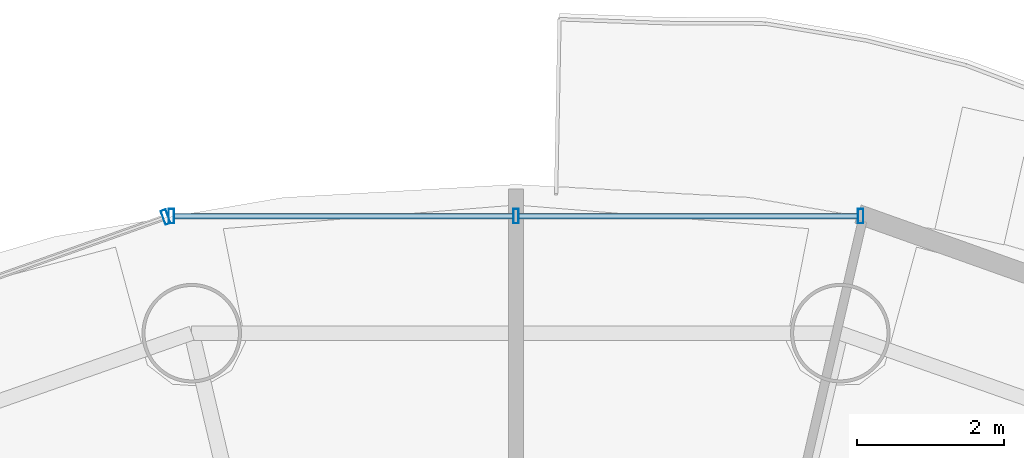
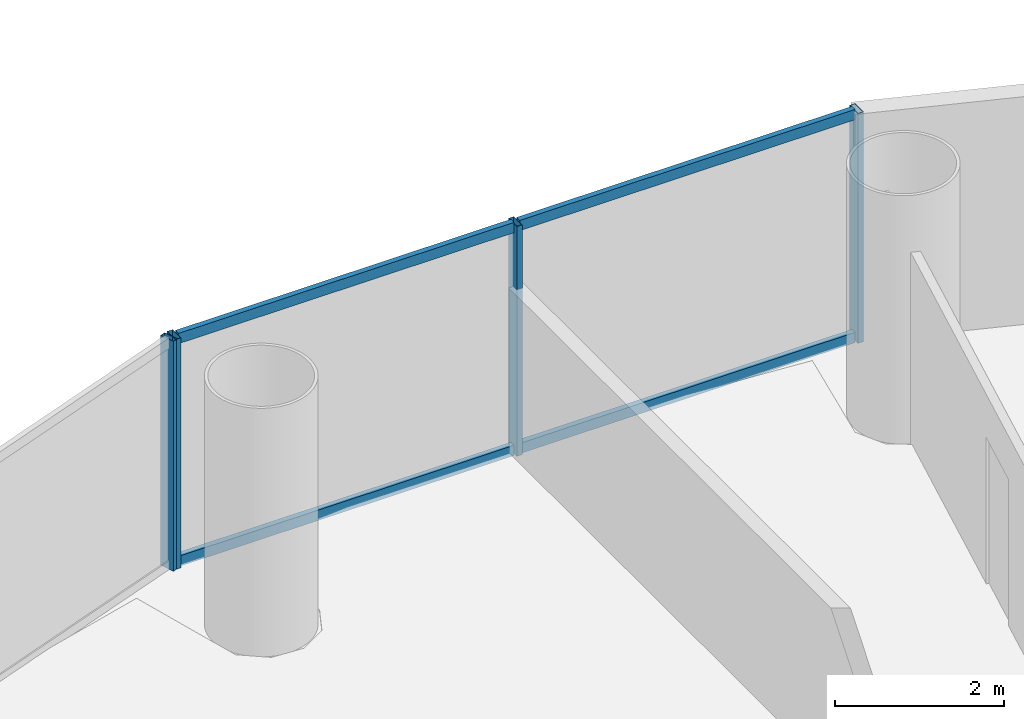
# One storey, part 17 of 27: 8 members, 2 elements without a shape of their own.
"""IFC4 building model written with IfcOpenShell, lengths in metres."""

from ifc_helpers import new_model, si_unit, direction, frame, origin, origin_2d, place, context, subcontext, project, spatial, hollow_rectangle, extrude, source, transform, mapped, material, material_profile, profile_set, type_object, element, aggregate, save


model = new_model("IFC4")

# Units and contexts
model_context = context("Model", 3, precision=1e-05, world=origin(), true_north=direction((-0.2419218956, 0.970295726276)))
body_context = subcontext(model_context, "Body", "Model", "MODEL_VIEW")
ifc_project = project(units=[si_unit("LENGTHUNIT", "METRE"), si_unit("AREAUNIT", "SQUARE_METRE"), si_unit("VOLUMEUNIT", "CUBIC_METRE"), si_unit("PLANEANGLEUNIT", "RADIAN"), si_unit("MASSUNIT", "GRAM", prefix="KILO")], contexts=[model_context])

# Site, building, storey
site_placement = place(None, origin())
site = spatial("IfcSite", under=ifc_project, at=site_placement, CompositionType="ELEMENT")
building_placement = place(site_placement, origin())
building = spatial("IfcBuilding", under=site, at=building_placement, Name="Cobrevalo Terracotta Tower", CompositionType="ELEMENT")
storey_placement = place(building_placement, frame((0.0, 0.0, 160.60009765625)))
storey = spatial("IfcBuildingStorey", under=building, at=storey_placement, Name="L42", CompositionType="ELEMENT", Elevation=160.60009765625)

# Curtain wall, members
ifc_material = material(Name="Anodized aluminium", Category="aluminium")
curtain_wall_type = type_object("IfcCurtainWallType", Name="Mid-tower high-wind unitised curtain wall CW-U2", PredefinedType="NOTDEFINED", material=ifc_material)
curtain_wall_1_placement = place(storey_placement, origin())
curtain_wall_1 = element("IfcCurtainWall", 1, at=curtain_wall_1_placement, inside=storey, type_object=curtain_wall_type, Name="L42 curtain wall CW-L42-S04", PredefinedType="NOTDEFINED")
ifc_material_profile_1 = material_profile(ifc_material, hollow_rectangle(XDim=0.074951171875, YDim=0.14990234375, WallThickness=0.00439453125, at=origin_2d()), Name="CWT 75x150")
ifc_profile_set_1 = profile_set([ifc_material_profile_1], Name="Anodized aluminium")
member_type_1 = type_object("IfcMemberType", Name="Tower unitised aluminium transom 75x150", PredefinedType="USERDEFINED", material=ifc_profile_set_1)
shared_shape_1 = source(origin(), body_context, "Body", "SweptSolid", [
    extrude(hollow_rectangle(XDim=0.074951171875, YDim=0.14990234375, WallThickness=0.00439453125, at=origin_2d()), origin(), (0.0, 0.0, 1.0), 4.59521484375),
])
member_1_placement = place(storey_placement, frame((42.63525390625, 47.1708984375, 0.0498046875), z_axis=(-1.0, 0.0, 0.0), x_axis=(0.0, -1.0, 0.0)))
member_1 = element("IfcMember", 2, at=member_1_placement, type_object=member_type_1, Name="CW-L42-S04 transom B01-T1", ObjectType="TRANSOM", PredefinedType="USERDEFINED", context=body_context, shape_type="MappedRepresentation", body=[
    mapped(shared_shape_1, transform((0.0, 0.0, 0.0), scale=1.0)),
])
member_2_placement = place(storey_placement, frame((42.63525390625, 47.1708984375, 3.27978515625), z_axis=(-1.0, 0.0, 0.0), x_axis=(0.0, -1.0, 0.0)))
member_2 = element("IfcMember", 3, at=member_2_placement, type_object=member_type_1, Name="CW-L42-S04 transom B01-T2", ObjectType="TRANSOM", PredefinedType="USERDEFINED", context=body_context, shape_type="MappedRepresentation", body=[
    mapped(shared_shape_1, transform((0.0, 0.0, 0.0), scale=1.0)),
])
member_3_placement = place(storey_placement, frame((37.9599609375, 47.1708984375, 0.0498046875), z_axis=(-1.0, 0.0, 0.0), x_axis=(0.0, -1.0, 0.0)))
member_3 = element("IfcMember", 4, at=member_3_placement, type_object=member_type_1, Name="CW-L42-S04 transom B02-T1", ObjectType="TRANSOM", PredefinedType="USERDEFINED", context=body_context, shape_type="MappedRepresentation", body=[
    mapped(shared_shape_1, transform((0.0, 0.0, 0.0), scale=1.0)),
])
member_4_placement = place(storey_placement, frame((37.9599609375, 47.1708984375, 3.27978515625), z_axis=(-1.0, 0.0, 0.0), x_axis=(0.0, -1.0, 0.0)))
member_4 = element("IfcMember", 5, at=member_4_placement, type_object=member_type_1, Name="CW-L42-S04 transom B02-T2", ObjectType="TRANSOM", PredefinedType="USERDEFINED", context=body_context, shape_type="MappedRepresentation", body=[
    mapped(shared_shape_1, transform((0.0, 0.0, 0.0), scale=1.0)),
])
ifc_material_profile_2 = material_profile(ifc_material, hollow_rectangle(XDim=0.074951171875, YDim=0.199951171875, WallThickness=0.0048828125, at=origin_2d()), Name="CWM 75x200")
ifc_profile_set_2 = profile_set([ifc_material_profile_2], Name="Anodized aluminium")
member_type_2 = type_object("IfcMemberType", Name="Lower/mid tower unitised mullion 75x200", PredefinedType="MULLION", material=ifc_profile_set_2)
shared_shape_2 = source(origin(), body_context, "Body", "SweptSolid", [
    extrude(hollow_rectangle(XDim=0.074951171875, YDim=0.199951171875, WallThickness=0.0048828125, at=origin_2d()), origin(), (0.0, 0.0, 1.0), 3.329833984375),
])
member_5_placement = place(storey_placement, frame((42.67529296875, 47.1708984375, 0.0), z_axis=(0.0, 0.0, 1.0), x_axis=(-1.0, 0.0, 0.0)))
member_5 = element("IfcMember", 6, at=member_5_placement, type_object=member_type_2, Name="CW-L42-S04 vertical mullion 01", PredefinedType="MULLION", context=body_context, shape_type="MappedRepresentation", body=[
    mapped(shared_shape_2, transform((0.0, 0.0, 0.0), scale=1.0)),
])
member_6_placement = place(storey_placement, frame((38.0, 47.1708984375, 0.0), z_axis=(0.0, 0.0, 1.0), x_axis=(-1.0, 0.0, 0.0)))
member_6 = element("IfcMember", 7, at=member_6_placement, type_object=member_type_2, Name="CW-L42-S04 vertical mullion 02", PredefinedType="MULLION", context=body_context, shape_type="MappedRepresentation", body=[
    mapped(shared_shape_2, transform((0.0, 0.0, 0.0), scale=1.0)),
])
member_7_placement = place(storey_placement, frame((33.32470703125, 47.1708984375, 0.0), z_axis=(0.0, 0.0, 1.0), x_axis=(-1.0, 0.0, 0.0)))
member_7 = element("IfcMember", 8, at=member_7_placement, type_object=member_type_2, Name="CW-L42-S04 vertical mullion 03", PredefinedType="MULLION", context=body_context, shape_type="MappedRepresentation", body=[
    mapped(shared_shape_2, transform((0.0, 0.0, 0.0), scale=1.0)),
])
aggregate(curtain_wall_1, [member_5, member_6, member_7, member_1, member_2, member_3, member_4])

# Curtain wall, member
curtain_wall_2_placement = place(storey_placement, origin())
curtain_wall_2 = element("IfcCurtainWall", 9, at=curtain_wall_2_placement, inside=storey, type_object=curtain_wall_type, Name="L42 curtain wall CW-L42-S05", PredefinedType="NOTDEFINED")
member_8_placement = place(storey_placement, frame((33.2470703125, 47.157470703125, 0.0), z_axis=(0.0, 0.0, 1.0), x_axis=(-0.942098428897, -0.335336473217, 0.0)))
member_8 = element("IfcMember", 10, at=member_8_placement, type_object=member_type_2, Name="CW-L42-S05 vertical mullion 01", PredefinedType="MULLION", context=body_context, shape_type="MappedRepresentation", body=[
    mapped(shared_shape_2, transform((0.0, 0.0, 0.0), scale=1.0)),
])
aggregate(curtain_wall_2, [member_8])

save(model, "model.ifc")
